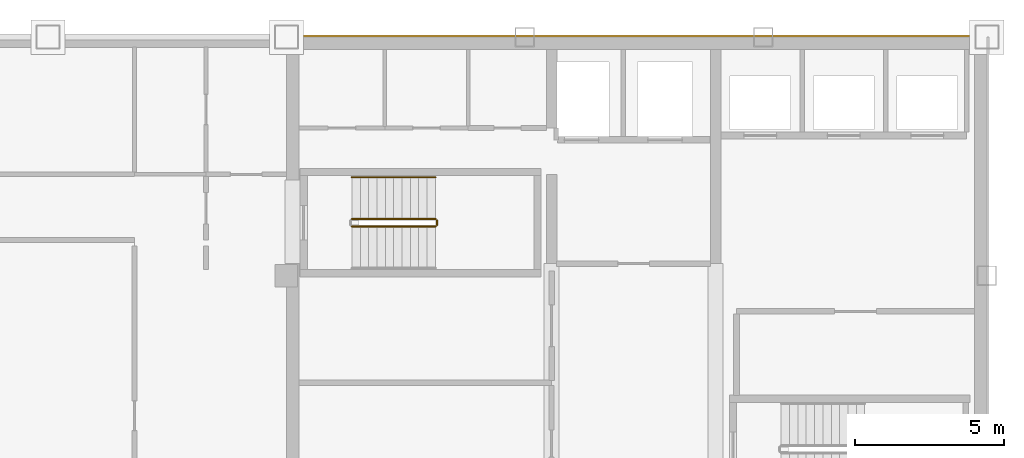
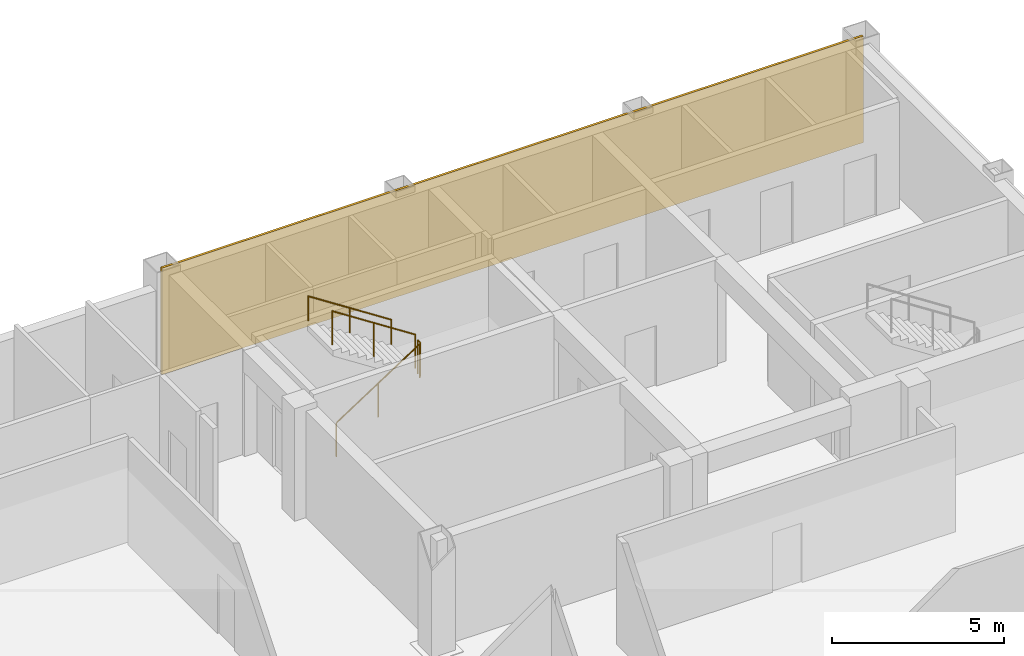
# One storey, part 8 of 8: 4 railings, 1 covering.
"""IFC4 building model written with IfcOpenShell, lengths in metres."""

from ifc_helpers import new_model, si_unit, direction, frame, origin, origin_2d, place, context, subcontext, project, spatial, rectangle, circle, extrude, material, layer, layer_set, type_object, element, save


model = new_model("IFC4")

# Units and contexts
model_context = context("Model", 3, precision=1e-05, world=origin(), true_north=direction((0.0, 1.0)))
body_context = subcontext(model_context, "Body", "Model", "MODEL_VIEW")
ifc_project = project(units=[si_unit("LENGTHUNIT", "METRE"), si_unit("AREAUNIT", "SQUARE_METRE"), si_unit("VOLUMEUNIT", "CUBIC_METRE"), si_unit("PLANEANGLEUNIT", "RADIAN"), si_unit("MASSUNIT", "GRAM", prefix="KILO")], contexts=[model_context])

# Site, building, storey
site_placement = place(None, origin())
site = spatial("IfcSite", under=ifc_project, at=site_placement, CompositionType="ELEMENT")
building_placement = place(site_placement, origin())
building = spatial("IfcBuilding", under=site, at=building_placement, Name="Qianrong Seaharbour Tower", CompositionType="ELEMENT")
storey_placement = place(building_placement, frame((0.0, 0.0, 287.199951171875)))
storey = spatial("IfcBuildingStorey", under=building, at=storey_placement, Name="L69", CompositionType="ELEMENT", Elevation=287.199951171875)

# Covering
ifc_material_1 = material(Name="Unitised red brick cladding on Precast concrete C45/55", Category="masonry")
ifc_layer = layer(ifc_material_1, 0.080078125)
ifc_layer_set = layer_set([ifc_layer], Name="Unitised red brick cladding on Precast concrete C45/55")
covering_type = type_object("IfcCoveringType", Name="COV-CLAD-RED-BRICK-80", PredefinedType="CLADDING", material=ifc_layer_set)
covering_placement = place(storey_placement, frame((52.2900390625, 52.0400390625, 0.0), z_axis=(0.0, 0.0, 1.0), x_axis=(1.0, 0.0, 0.0)))
element("IfcCovering", 1, at=covering_placement, inside=storey, type_object=covering_type, Name="L69 North Core Brick Veneer Cladding", PredefinedType="CLADDING", context=body_context, shape_type="SweptSolid", body=[
    extrude(rectangle(XDim=23.580078125, YDim=0.080078125, at=origin_2d()), origin(), (0.0, 0.0, 1.0), 3.784912109375),
])

# Railings
ifc_material_2 = material(Name="Galvanized painted steel SN400B stair guard", Category="steel")
railing_type_1 = type_object("IfcRailingType", Name="RAIL-STAIR-GUARD-1220", PredefinedType="GUARDRAIL", material=ifc_material_2)
railing_1_placement = place(storey_placement, frame((42.699951171875, 45.64990234375, 0.181884765625)))
element("IfcRailing", 2, at=railing_1_placement, inside=storey, type_object=railing_type_1, Name="L69 ST-1 stair guard 1", PredefinedType="GUARDRAIL", context=body_context, shape_type="SweptSolid", body=[
    extrude(circle(Radius=0.02392578125, at=origin_2d()), frame((0.0, 0.0, 1.19580078125), z_axis=(0.838705829183, 0.0, 0.544584733623), x_axis=(0.0, 1.0, 0.0)), (0.0, 0.0, 1.0), 3.338623046875),
    extrude(circle(Radius=0.02099609375, at=origin_2d()), origin(), (0.0, 0.0, 1.0), 1.171875),
    extrude(circle(Radius=0.02099609375, at=origin_2d()), frame((1.39990234375, 0.0, 0.9091796875)), (0.0, 0.0, 1.0), 1.171875),
    extrude(circle(Radius=0.02099609375, at=origin_2d()), frame((2.800048828125, 0.0, 1.818115234375)), (0.0, 0.0, 1.0), 1.171875),
])
railing_2_placement = place(storey_placement, frame((45.550048828125, 45.699951171875, 2.0)))
element("IfcRailing", 3, at=railing_2_placement, inside=storey, type_object=railing_type_1, Name="L69 ST-1 stair guard 2", PredefinedType="GUARDRAIL", context=body_context, shape_type="SweptSolid", body=[
    extrude(circle(Radius=0.02392578125, at=origin_2d()), frame((0.0, 0.0, 1.19580078125), z_axis=(0.0, 1.0, 0.0), x_axis=(-1.0, 0.0, 0.0)), (0.0, 0.0, 1.0), 0.150146484375),
    extrude(circle(Radius=0.02099609375, at=origin_2d()), origin(), (0.0, 0.0, 1.0), 1.171875),
    extrude(circle(Radius=0.02099609375, at=origin_2d()), frame((0.0, 0.150146484375, 0.0)), (0.0, 0.0, 1.0), 1.171875),
])
railing_3_placement = place(storey_placement, frame((45.5, 45.89990234375, 2.181884765625)))
element("IfcRailing", 4, at=railing_3_placement, inside=storey, type_object=railing_type_1, Name="L69 ST-1 stair guard 3", PredefinedType="GUARDRAIL", context=body_context, shape_type="SweptSolid", body=[
    extrude(circle(Radius=0.02392578125, at=origin_2d()), frame((0.0, 0.0, 1.19580078125), z_axis=(-0.838705829183, 0.0, 0.544584733623), x_axis=(0.0, -1.0, 0.0)), (0.0, 0.0, 1.0), 3.338623046875),
    extrude(circle(Radius=0.02099609375, at=origin_2d()), origin(), (0.0, 0.0, 1.0), 1.171875),
    extrude(circle(Radius=0.02099609375, at=origin_2d()), frame((-1.39990234375, 0.0, 0.9091796875)), (0.0, 0.0, 1.0), 1.171875),
    extrude(circle(Radius=0.02099609375, at=origin_2d()), frame((-2.800048828125, 0.0, 1.818115234375)), (0.0, 0.0, 1.0), 1.171875),
])
ifc_material_3 = material(Name="Stainless steel SUS316L continuous handrail", Category="steel")
railing_type_2 = type_object("IfcRailingType", Name="RAIL-STAIR-HANDRAIL-900", PredefinedType="HANDRAIL", material=ifc_material_3)
railing_4_placement = place(storey_placement, frame((45.5, 47.300048828125, 2.181884765625)))
element("IfcRailing", 5, at=railing_4_placement, inside=storey, type_object=railing_type_2, Name="L69 ST-1 stair handrail 2", PredefinedType="HANDRAIL", context=body_context, shape_type="SweptSolid", body=[
    extrude(circle(Radius=0.02392578125, at=origin_2d()), frame((0.0, 0.0, 0.8759765625), z_axis=(-0.838705829183, 0.0, 0.544584733623), x_axis=(0.0, -1.0, 0.0)), (0.0, 0.0, 1.0), 3.338623046875),
    extrude(circle(Radius=0.02099609375, at=origin_2d()), origin(), (0.0, 0.0, 1.0), 0.851806640625),
    extrude(circle(Radius=0.02099609375, at=origin_2d()), frame((-1.39990234375, 0.0, 0.9091796875)), (0.0, 0.0, 1.0), 0.851806640625),
    extrude(circle(Radius=0.02099609375, at=origin_2d()), frame((-2.800048828125, 0.0, 1.818115234375)), (0.0, 0.0, 1.0), 0.851806640625),
])

save(model, "model.ifc")
